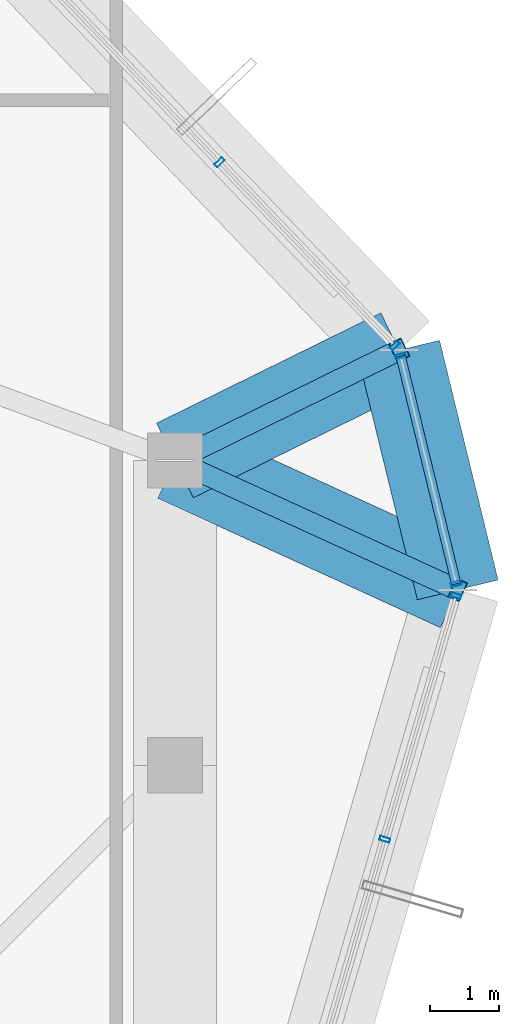
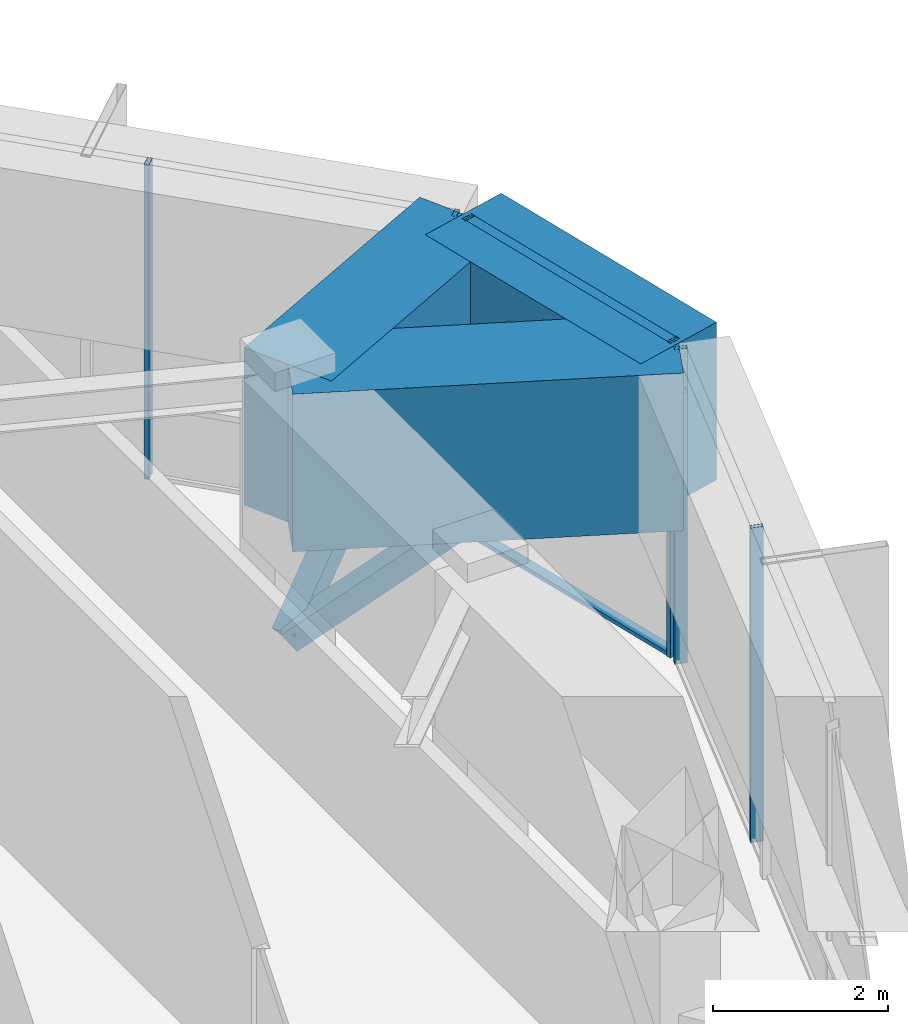
# One storey, part 28 of 39: 10 members, 3 beams, 3 elements without a shape of their own.
"""IFC4 building model written with IfcOpenShell, lengths in metres."""

from ifc_helpers import new_model, si_unit, direction, frame, origin, origin_2d, place, context, subcontext, project, spatial, rectangle, hollow_rectangle, extrude, source, transform, mapped, material, layer, layer_set, material_profile, profile_set, type_object, element, aggregate, save


model = new_model("IFC4")

# Units and contexts
model_context = context("Model", 3, precision=1e-05, world=origin(), true_north=direction((0.0, 1.0)))
body_context = subcontext(model_context, "Body", "Model", "MODEL_VIEW")
ifc_project = project(units=[si_unit("LENGTHUNIT", "METRE"), si_unit("AREAUNIT", "SQUARE_METRE"), si_unit("VOLUMEUNIT", "CUBIC_METRE"), si_unit("PLANEANGLEUNIT", "RADIAN"), si_unit("MASSUNIT", "GRAM", prefix="KILO")], contexts=[model_context])

# Site, building, storey
site_placement = place(None, origin())
site = spatial("IfcSite", under=ifc_project, at=site_placement, CompositionType="ELEMENT")
building_placement = place(site_placement, origin())
building = spatial("IfcBuilding", under=site, at=building_placement, Name="Veraguas Prism Commons", CompositionType="ELEMENT")
storey_placement = place(building_placement, frame((0.0, 0.0, 264.25)))
storey = spatial("IfcBuildingStorey", under=building, at=storey_placement, Name="L75", CompositionType="ELEMENT", Elevation=264.25)

# Beams
ifc_material_1 = material(Name="Concrete C50/60", Category="concrete")
ifc_material_profile_1 = material_profile(ifc_material_1, rectangle(XDim=1.199951171875, YDim=2.199951171875, at=origin_2d()), Name="RC1200X2200")
ifc_profile_set_1 = profile_set([ifc_material_profile_1], Name="Concrete C50/60")
beam_type = type_object("IfcBeamType", Name="Podium Transfer Girder RC 1200x2200", PredefinedType="BEAM", material=ifc_profile_set_1)
beam_1_placement = place(storey_placement, frame((37.800048828125, 28.39990234375, 3.2900390625), z_axis=(0.909290456172, -0.416162067367, 0.0), x_axis=(0.416162067367, 0.909290456172, 0.0)))
element("IfcBeam", 1, at=beam_1_placement, inside=storey, type_object=beam_type, Name="Crown Rib Support Girder L75-01", PredefinedType="BEAM", context=body_context, shape_type="SweptSolid", body=[
    extrude(rectangle(XDim=1.199951171875, YDim=2.199951171875, at=origin_2d()), origin(), (0.0, 0.0, 1.0), 4.488525390625),
])
beam_2_placement = place(storey_placement, frame((41.88134765625, 26.531982421875, 3.2900390625), z_axis=(-0.237178614027, 0.971466059648, 0.0), x_axis=(-0.971466059648, -0.237178614027, 0.0)))
element("IfcBeam", 2, at=beam_2_placement, inside=storey, type_object=beam_type, Name="Crown Base Ring Beam L75-01", PredefinedType="BEAM", context=body_context, shape_type="SweptSolid", body=[
    extrude(rectangle(XDim=1.199951171875, YDim=2.199951171875, at=origin_2d()), origin(), (0.0, 0.0, 1.0), 3.5625),
])
beam_3_placement = place(storey_placement, frame((37.800048828125, 28.39990234375, 3.2900390625), z_axis=(0.897198319765, 0.441627869377, 0.0), x_axis=(-0.441627869377, 0.897198319765, 0.0)))
element("IfcBeam", 3, at=beam_3_placement, inside=storey, type_object=beam_type, Name="Crown Rib Support Girder L75-02", PredefinedType="BEAM", context=body_context, shape_type="SweptSolid", body=[
    extrude(rectangle(XDim=1.199951171875, YDim=2.199951171875, at=origin_2d()), origin(), (0.0, 0.0, 1.0), 3.607177734375),
])

# Members
ifc_material_2 = material(Name="Steel ASTM A500 Grade C", Category="steel")
ifc_material_profile_2 = material_profile(ifc_material_2, hollow_rectangle(XDim=0.300048828125, YDim=0.300048828125, WallThickness=0.01611328125, at=origin_2d()), Name="HSS300X300X16")
ifc_profile_set_2 = profile_set([ifc_material_profile_2], Name="Steel ASTM A500 Grade C")
member_type_1 = type_object("IfcMemberType", Name="Sky Pool Bracket Strut HSS 300x300x16", PredefinedType="STRUT", material=ifc_profile_set_2)
member_1_placement = place(storey_placement, frame((37.800048828125, 28.39990234375, 0.60009765625), z_axis=(0.729493622757, -0.333873045864, 0.59696552966), x_axis=(0.416162067367, 0.909290456172, 0.0)))
element("IfcMember", 4, at=member_1_placement, inside=storey, type_object=member_type_1, Name="Crown Base Raker Strut L75-01", PredefinedType="STRUT", context=body_context, shape_type="SweptSolid", body=[
    extrude(hollow_rectangle(XDim=0.300048828125, YDim=0.300048828125, WallThickness=0.01611328125, at=origin_2d()), origin(), (0.0, 0.0, 1.0), 5.5947265625),
])
member_2_placement = place(storey_placement, frame((37.800048828125, 28.39990234375, 0.60009765625), z_axis=(0.658338773336, 0.324054050695, 0.679396078699), x_axis=(-0.441627869377, 0.897198319765, 0.0)))
element("IfcMember", 5, at=member_2_placement, inside=storey, type_object=member_type_1, Name="Crown Base Raker Strut L75-02", PredefinedType="STRUT", context=body_context, shape_type="SweptSolid", body=[
    extrude(hollow_rectangle(XDim=0.300048828125, YDim=0.300048828125, WallThickness=0.01611328125, at=origin_2d()), origin(), (0.0, 0.0, 1.0), 4.916015625),
])

# Curtain wall, members
ifc_material_3 = material(Name="Anodised aluminium EN AW-6063 T6", Category="aluminium")
ifc_layer = layer(ifc_material_3, 0.14990234375, Name="Unitised Flush Curtain Wall Zone 4", Category="aluminium")
ifc_layer_set = layer_set([ifc_layer], Name="Anodised aluminium EN AW-6063 T6")
curtain_wall_type = type_object("IfcCurtainWallType", Name="Unitised Flush Curtain Wall Zone 4", PredefinedType="NOTDEFINED", material=ifc_layer_set)
curtain_wall_1_placement = place(storey_placement, origin())
curtain_wall_1 = element("IfcCurtainWall", 6, at=curtain_wall_1_placement, inside=storey, type_object=curtain_wall_type, Name="Chamfer Curtain Wall L75-C1", PredefinedType="NOTDEFINED")
ifc_material_profile_3 = material_profile(ifc_material_3, hollow_rectangle(XDim=0.054931640625, YDim=0.135009765625, WallThickness=0.0029296875, at=origin_2d()), Name="AL55X135X3")
ifc_profile_set_3 = profile_set([ifc_material_profile_3], Name="Anodised aluminium EN AW-6063 T6")
member_type_2 = type_object("IfcMemberType", Name="Curtain Wall Transom Standard AL 55x135x3", PredefinedType="USERDEFINED", material=ifc_profile_set_3)
shared_shape_1 = source(origin(), body_context, "Body", "SweptSolid", [
    extrude(hollow_rectangle(XDim=0.054931640625, YDim=0.135009765625, WallThickness=0.0029296875, at=origin_2d()), origin(), (0.0, 0.0, 1.0), 3.382568359375),
])
member_3_placement = place(storey_placement, frame((41.85986328125, 26.619384765625, 0.027587890625), z_axis=(-0.237165525421, 0.971469255073, 0.0), x_axis=(0.0, 0.0, 1.0)))
member_3 = element("IfcMember", 7, at=member_3_placement, type_object=member_type_2, Name="CW-Z4 Transom 1", ObjectType="TRANSOM", PredefinedType="USERDEFINED", context=body_context, shape_type="MappedRepresentation", body=[
    mapped(shared_shape_1, transform((0.0, 0.0, 0.0), scale=1.0)),
])
member_4_placement = place(storey_placement, frame((41.85986328125, 26.619384765625, 4.362548828125), z_axis=(-0.237165525421, 0.971469255073, 0.0), x_axis=(0.0, 0.0, 1.0)))
member_4 = element("IfcMember", 8, at=member_4_placement, type_object=member_type_2, Name="CW-Z4 Transom 2", ObjectType="TRANSOM", PredefinedType="USERDEFINED", context=body_context, shape_type="MappedRepresentation", body=[
    mapped(shared_shape_1, transform((0.0, 0.0, 0.0), scale=1.0)),
])

curtain_wall_2_placement = place(storey_placement, origin())
curtain_wall_2 = element("IfcCurtainWall", 9, at=curtain_wall_2_placement, inside=storey, type_object=curtain_wall_type, Name="Tower Facade Curtain Wall L75-F1", PredefinedType="NOTDEFINED")
ifc_material_profile_4 = material_profile(ifc_material_3, hollow_rectangle(XDim=0.06005859375, YDim=0.14990234375, WallThickness=0.0029296875, at=origin_2d()), Name="AL60X150X3")
ifc_profile_set_4 = profile_set([ifc_material_profile_4], Name="Anodised aluminium EN AW-6063 T6")
member_type_3 = type_object("IfcMemberType", Name="Curtain Wall Mullion Upper AL 60x150x3", PredefinedType="MULLION", material=ifc_profile_set_4)
shared_shape_2 = source(origin(), body_context, "Body", "SweptSolid", [
    extrude(hollow_rectangle(XDim=0.06005859375, YDim=0.14990234375, WallThickness=0.0029296875, at=origin_2d()), origin(), (0.0, 0.0, 1.0), 4.389892578125),
])
member_5_placement = place(storey_placement, frame((40.97412109375, 30.057861328125, 0.0), z_axis=(0.0, 0.0, 1.0), x_axis=(-0.691134732122, 0.722725938412, 0.0)))
member_5 = element("IfcMember", 10, at=member_5_placement, type_object=member_type_3, Name="CW-Z4 Mullion 1", PredefinedType="MULLION", context=body_context, shape_type="MappedRepresentation", body=[
    mapped(shared_shape_2, transform((0.0, 0.0, 0.0), scale=1.0)),
])
member_6_placement = place(storey_placement, frame((38.443359375, 32.704345703125, 0.0), z_axis=(0.0, 0.0, 1.0), x_axis=(-0.691134732122, 0.722725938412, 0.0)))
member_6 = element("IfcMember", 11, at=member_6_placement, type_object=member_type_3, Name="CW-Z4 Mullion 2", PredefinedType="MULLION", context=body_context, shape_type="MappedRepresentation", body=[
    mapped(shared_shape_2, transform((0.0, 0.0, 0.0), scale=1.0)),
])
aggregate(curtain_wall_2, [member_5, member_6])

curtain_wall_3_placement = place(storey_placement, origin())
curtain_wall_3 = element("IfcCurtainWall", 12, at=curtain_wall_3_placement, inside=storey, type_object=curtain_wall_type, Name="Tower Facade Curtain Wall L75-F6", PredefinedType="NOTDEFINED")
member_7_placement = place(storey_placement, frame((40.82958984375, 22.930908203125, 0.0), z_axis=(0.0, 0.0, 1.0), x_axis=(0.28033835796, 0.959901247554, 0.0)))
member_7 = element("IfcMember", 13, at=member_7_placement, type_object=member_type_3, Name="CW-Z4 Mullion 4", PredefinedType="MULLION", context=body_context, shape_type="MappedRepresentation", body=[
    mapped(shared_shape_2, transform((0.0, 0.0, 0.0), scale=1.0)),
])
member_8_placement = place(storey_placement, frame((41.856201171875, 26.445556640625, 0.0), z_axis=(0.0, 0.0, 1.0), x_axis=(0.28033835796, 0.959901247554, 0.0)))
member_8 = element("IfcMember", 14, at=member_8_placement, type_object=member_type_3, Name="CW-Z4 Mullion 5", PredefinedType="MULLION", context=body_context, shape_type="MappedRepresentation", body=[
    mapped(shared_shape_2, transform((0.0, 0.0, 0.0), scale=1.0)),
])
aggregate(curtain_wall_3, [member_7, member_8])

# Member
member_9_placement = place(storey_placement, frame((41.85986328125, 26.619384765625, 0.0), z_axis=(0.0, 0.0, 1.0), x_axis=(-0.237207785649, 0.971458937077, 0.0)))
member_9 = element("IfcMember", 15, at=member_9_placement, type_object=member_type_3, Name="CW-Z4 Mullion 1", PredefinedType="MULLION", context=body_context, shape_type="MappedRepresentation", body=[
    mapped(shared_shape_2, transform((0.0, 0.0, 0.0), scale=1.0)),
])

member_10_placement = place(storey_placement, frame((41.0576171875, 29.905517578125, 0.0), z_axis=(0.0, 0.0, 1.0), x_axis=(-0.237207785649, 0.971458937077, 0.0)))
member_10 = element("IfcMember", 16, at=member_10_placement, type_object=member_type_3, Name="CW-Z4 Mullion 2", PredefinedType="MULLION", context=body_context, shape_type="MappedRepresentation", body=[
    mapped(shared_shape_2, transform((0.0, 0.0, 0.0), scale=1.0)),
])

aggregate(curtain_wall_1, [member_9, member_10, member_3, member_4])

save(model, "model.ifc")
